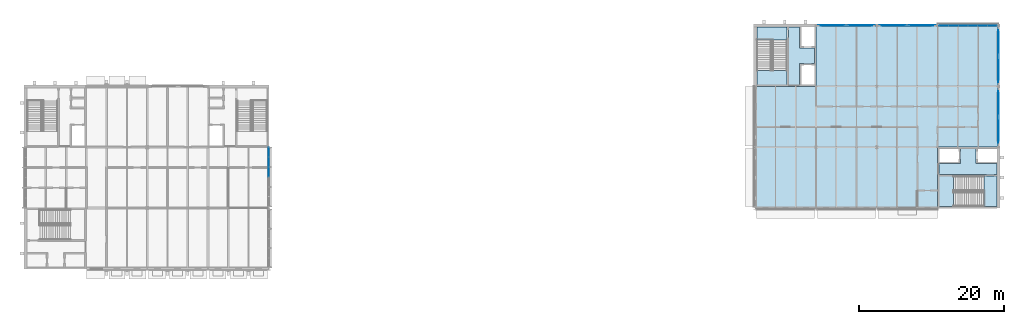
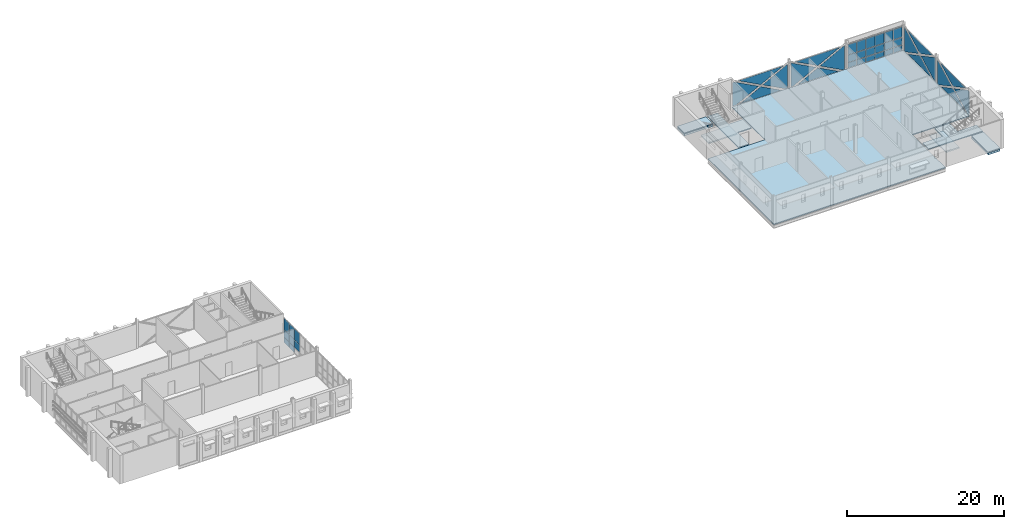
# One storey, part 13 of 22: 42 plates, 9 slabs, 8 elements without a shape of their own.
"""IFC4 building model written with IfcOpenShell, lengths in metres."""

from ifc_helpers import new_model, si_unit, direction, frame, origin, origin_2d, place, context, subcontext, project, spatial, polyline, rectangle, outline, extrude, material, layer, layer_set, type_object, element, aggregate, save


model = new_model("IFC4")

# Units and contexts
model_context = context("Model", 3, precision=1e-05, world=origin(), true_north=direction((0.0, 1.0)))
body_context = subcontext(model_context, "Body", "Model", "MODEL_VIEW")
ifc_project = project(units=[si_unit("LENGTHUNIT", "METRE"), si_unit("AREAUNIT", "SQUARE_METRE"), si_unit("VOLUMEUNIT", "CUBIC_METRE"), si_unit("PLANEANGLEUNIT", "RADIAN"), si_unit("MASSUNIT", "GRAM", prefix="KILO")], contexts=[model_context])

# Site, building, storey
site_placement = place(None, origin())
site = spatial("IfcSite", under=ifc_project, at=site_placement, CompositionType="ELEMENT")
building_placement = place(site_placement, origin())
building = spatial("IfcBuilding", under=site, at=building_placement, Name="Ardhachandra Cancer Care Centre", CompositionType="ELEMENT")
storey_placement = place(building_placement, frame((0.0, 0.0, 18.0)))
storey = spatial("IfcBuildingStorey", under=building, at=storey_placement, Name="L04", CompositionType="ELEMENT", Elevation=18.0)

# Slabs
ifc_material_1 = material(Name="Composite slab Concrete M30 on steel deck", Category="concrete")
ifc_layer_1 = layer(ifc_material_1, 0.14990234375)
ifc_layer_set_1 = layer_set([ifc_layer_1], Name="Composite slab Concrete M30 on steel deck")
slab_type_1 = type_object("IfcSlabType", Name="Composite floor slab 150", PredefinedType="FLOOR", material=ifc_layer_set_1)
slab_1_placement = place(storey_placement, frame((0.0, 0.0, -0.14990234375)))
element("IfcSlab", 1, at=slab_1_placement, inside=storey, type_object=slab_type_1, Name="Floor slab V5", PredefinedType="FLOOR", context=body_context, shape_type="SweptSolid", body=[
    extrude(outline(polyline([(120.0, 105.0), (120.0, 96.60009765625), (111.60009765625, 96.60009765625), (111.60009765625, 79.800048828125), (136.800048828125, 79.800048828125), (136.800048828125, 88.199951171875), (145.199951171875, 88.199951171875), (145.199951171875, 105.0), (120.0, 105.0)])), origin(), (0.0, 0.0, 1.0), 0.14990234375),
])
ifc_material_2 = material(Name="Concrete M40", Category="concrete")
ifc_layer_2 = layer(ifc_material_2, 0.14990234375)
ifc_layer_set_2 = layer_set([ifc_layer_2], Name="Concrete M40")
slab_type_2 = type_object("IfcSlabType", Name="Core floor slab 150", PredefinedType="FLOOR", material=ifc_layer_set_2)
slab_2_placement = place(storey_placement, frame((0.0, 0.0, -0.14990234375)))
element("IfcSlab", 2, at=slab_2_placement, inside=storey, type_object=slab_type_2, Name="Core floor slab K12 L04 1", PredefinedType="FLOOR", context=body_context, shape_type="SweptSolid", body=[
    extrude(outline(polyline([(111.824951171875, 104.77490234375), (116.02490234375, 104.77490234375), (116.02490234375, 103.0), (111.824951171875, 103.0), (111.824951171875, 104.77490234375)])), origin(), (0.0, 0.0, 1.0), 0.14990234375),
])
slab_3_placement = place(storey_placement, frame((0.0, 0.0, -0.14990234375)))
element("IfcSlab", 3, at=slab_3_placement, inside=storey, type_object=slab_type_2, Name="Core floor slab K12 L04 2", PredefinedType="FLOOR", context=body_context, shape_type="SweptSolid", body=[
    extrude(outline(polyline([(119.800048828125, 99.75), (117.949951171875, 99.75), (117.75, 99.75), (117.75, 96.800048828125), (116.22509765625, 96.800048828125), (116.22509765625, 104.77490234375), (117.75, 104.77490234375), (117.75, 101.925048828125), (117.949951171875, 101.925048828125), (119.800048828125, 101.925048828125), (119.800048828125, 99.75)])), origin(), (0.0, 0.0, 1.0), 0.14990234375),
])
slab_4_placement = place(storey_placement, frame((0.0, 0.0, -0.14990234375)))
element("IfcSlab", 4, at=slab_4_placement, inside=storey, type_object=slab_type_2, Name="Core floor slab K13 L04 1", PredefinedType="FLOOR", context=body_context, shape_type="SweptSolid", body=[
    extrude(outline(polyline([(144.97509765625, 80.0), (144.97509765625, 84.199951171875), (143.199951171875, 84.199951171875), (143.199951171875, 80.0), (144.97509765625, 80.0)])), origin(), (0.0, 0.0, 1.0), 0.14990234375),
])
slab_5_placement = place(storey_placement, frame((0.0, 0.0, -0.14990234375)))
element("IfcSlab", 5, at=slab_5_placement, inside=storey, type_object=slab_type_2, Name="Core floor slab K13 L04 2", PredefinedType="FLOOR", context=body_context, shape_type="SweptSolid", body=[
    extrude(outline(polyline([(139.949951171875, 88.0), (139.949951171875, 86.14990234375), (139.949951171875, 85.949951171875), (137.0, 85.949951171875), (137.0, 84.39990234375), (144.97509765625, 84.39990234375), (144.97509765625, 85.949951171875), (142.125, 85.949951171875), (142.125, 86.14990234375), (142.125, 88.0), (139.949951171875, 88.0)])), origin(), (0.0, 0.0, 1.0), 0.14990234375),
])
ifc_material_3 = material(Name="Concrete M40", Category="concrete")
ifc_layer_3 = layer(ifc_material_3, 0.300048828125)
ifc_layer_set_3 = layer_set([ifc_layer_3], Name="Concrete M40")
slab_type_3 = type_object("IfcSlabType", Name="Core stair edge slab 300", PredefinedType="FLOOR", material=ifc_layer_set_3)
slab_6_placement = place(storey_placement, frame((0.0, 0.0, -0.449951171875)))
element("IfcSlab", 6, at=slab_6_placement, inside=storey, type_object=slab_type_3, Name="Core stair edge slab K12 L04", PredefinedType="FLOOR", context=body_context, shape_type="SweptSolid", body=[
    extrude(outline(polyline([(111.824951171875, 103.0), (116.02490234375, 103.0), (116.02490234375, 104.77490234375), (111.824951171875, 104.77490234375), (111.824951171875, 103.0)])), origin(), (0.0, 0.0, 1.0), 0.300048828125),
])
slab_7_placement = place(storey_placement, frame((0.0, 0.0, -0.449951171875)))
element("IfcSlab", 7, at=slab_7_placement, inside=storey, type_object=slab_type_3, Name="Core stair edge slab K13 L04", PredefinedType="FLOOR", context=body_context, shape_type="SweptSolid", body=[
    extrude(outline(polyline([(143.199951171875, 80.0), (143.199951171875, 84.199951171875), (144.97509765625, 84.199951171875), (144.97509765625, 80.0), (143.199951171875, 80.0)])), origin(), (0.0, 0.0, 1.0), 0.300048828125),
])

# Curtain wall, plates
ifc_material_4 = material(Name="Aluminium extrusion", Category="aluminium")
ifc_layer_4 = layer(ifc_material_4, 0.14990234375)
ifc_layer_set_4 = layer_set([ifc_layer_4], Name="Aluminium extrusion")
curtain_wall_type = type_object("IfcCurtainWallType", Name="Curtain wall run", PredefinedType="NOTDEFINED", material=ifc_layer_set_4)
curtain_wall_1_placement = place(storey_placement, origin())
curtain_wall_1 = element("IfcCurtainWall", 8, at=curtain_wall_1_placement, inside=storey, type_object=curtain_wall_type, Name="Curtain wall L04 e/0044400_0079800", PredefinedType="NOTDEFINED")
ifc_material_5 = material(Name="Low-iron double-glazed unit")
ifc_layer_5 = layer(ifc_material_5, 0.028076171875)
ifc_layer_set_5 = layer_set([ifc_layer_5], Name="Low-iron double-glazed unit")
plate_type_1 = type_object("IfcPlateType", Name="Curtain wall glazing 28", PredefinedType="CURTAIN_PANEL", material=ifc_layer_set_5)
plate_1_placement = place(storey_placement, frame((44.39990234375, 86.14599609375, 0.93017578125), z_axis=(0.0, 0.0, 1.0), x_axis=(0.0, 1.0, 0.0)))
plate_1 = element("IfcPlate", 9, at=plate_1_placement, type_object=plate_type_1, Name="CW panel 5.2", PredefinedType="CURTAIN_PANEL", context=body_context, shape_type="SweptSolid", body=[
    extrude(rectangle(XDim=1.309326171875, YDim=0.028076171875, at=origin_2d()), origin(), (0.0, 0.0, 1.0), 1.139892578125),
])
plate_2_placement = place(storey_placement, frame((44.39990234375, 86.14599609375, 2.1298828125), z_axis=(0.0, 0.0, 1.0), x_axis=(0.0, 1.0, 0.0)))
plate_2 = element("IfcPlate", 10, at=plate_2_placement, type_object=plate_type_1, Name="CW panel 5.3", PredefinedType="CURTAIN_PANEL", context=body_context, shape_type="SweptSolid", body=[
    extrude(rectangle(XDim=1.309326171875, YDim=0.028076171875, at=origin_2d()), origin(), (0.0, 0.0, 1.0), 1.696044921875),
])
plate_3_placement = place(storey_placement, frame((44.39990234375, 87.500244140625, 0.93017578125), z_axis=(0.0, 0.0, 1.0), x_axis=(0.0, 1.0, 0.0)))
plate_3 = element("IfcPlate", 11, at=plate_3_placement, type_object=plate_type_1, Name="CW panel 6.2", PredefinedType="CURTAIN_PANEL", context=body_context, shape_type="SweptSolid", body=[
    extrude(rectangle(XDim=1.279296875, YDim=0.028076171875, at=origin_2d()), origin(), (0.0, 0.0, 1.0), 1.139892578125),
])
plate_4_placement = place(storey_placement, frame((44.39990234375, 87.500244140625, 2.1298828125), z_axis=(0.0, 0.0, 1.0), x_axis=(0.0, 1.0, 0.0)))
plate_4 = element("IfcPlate", 12, at=plate_4_placement, type_object=plate_type_1, Name="CW panel 6.3", PredefinedType="CURTAIN_PANEL", context=body_context, shape_type="SweptSolid", body=[
    extrude(rectangle(XDim=1.279296875, YDim=0.028076171875, at=origin_2d()), origin(), (0.0, 0.0, 1.0), 1.696044921875),
])

curtain_wall_2_placement = place(storey_placement, origin())
curtain_wall_2 = element("IfcCurtainWall", 13, at=curtain_wall_2_placement, inside=storey, type_object=curtain_wall_type, Name="Curtain wall L04 e/0145200_0088200", PredefinedType="NOTDEFINED")
plate_5_placement = place(storey_placement, frame((145.199951171875, 96.35791015625, 3.739990234375), z_axis=(-1.0, 0.0, 0.0), x_axis=(0.0, 0.0, -1.0)))
plate_5 = element("IfcPlate", 14, at=plate_5_placement, type_object=plate_type_1, Name="CW panel 1.1", PredefinedType="CURTAIN_PANEL", context=body_context, shape_type="SweptSolid", body=[
    extrude(outline(polyline([(0.0, 0.0), (3.679931640625, 0.0), (3.679931640625, 0.328857421875), (1.902587890625, 3.66552734375), (0.0, 0.09423828125), (0.0, 0.0)])), origin(), (0.0, 0.0, 1.0), 0.028076171875),
])
plate_6_placement = place(storey_placement, frame((145.199951171875, 95.6787109375, 3.739990234375), z_axis=(-1.0, 0.0, 0.0), x_axis=(0.0, -0.882589322681, -0.470144751635)))
plate_6 = element("IfcPlate", 15, at=plate_6_placement, type_object=plate_type_1, Name="CW panel 1.1", PredefinedType="CURTAIN_PANEL", context=body_context, shape_type="SweptSolid", body=[
    extrude(outline(polyline([(0.0, 0.0), (3.715087890625, 0.0), (5.787353515625, 3.0830078125), (0.0, 0.0)])), frame((0.0, 0.0, -0.028076171875)), (0.0, 0.0, 1.0), 0.028076171875),
])
plate_7_placement = place(storey_placement, frame((145.199951171875, 88.260009765625, 0.06005859375), z_axis=(-1.0, 0.0, 0.0), x_axis=(0.0, 0.0, 1.0)))
plate_7 = element("IfcPlate", 16, at=plate_7_placement, type_object=plate_type_1, Name="CW panel 1.1", PredefinedType="CURTAIN_PANEL", context=body_context, shape_type="SweptSolid", body=[
    extrude(outline(polyline([(0.0, 0.0), (3.679931640625, 0.0), (3.679931640625, 0.2763671875), (1.77734375, 3.84765625), (0.0, 0.510986328125), (0.0, 0.0)])), origin(), (0.0, 0.0, 1.0), 0.028076171875),
])
plate_8_placement = place(storey_placement, frame((145.199951171875, 89.35595703125, 0.06005859375), z_axis=(-1.0, 0.0, 0.0), x_axis=(0.0, 0.882576225952, 0.470169336924)))
plate_8 = element("IfcPlate", 17, at=plate_8_placement, type_object=plate_type_1, Name="CW panel 1.1", PredefinedType="CURTAIN_PANEL", context=body_context, shape_type="SweptSolid", body=[
    extrude(outline(polyline([(0.0, 0.0), (3.448974609375, 0.0), (5.373291015625, 2.862548828125), (0.0, 0.0)])), frame((0.0, 0.0, -0.028076171875)), (0.0, 0.0, 1.0), 0.028076171875),
])
aggregate(curtain_wall_2, [plate_5, plate_6, plate_7, plate_8])

curtain_wall_3_placement = place(storey_placement, origin())
curtain_wall_3 = element("IfcCurtainWall", 18, at=curtain_wall_3_placement, inside=storey, type_object=curtain_wall_type, Name="Curtain wall L04 e/0145200_0096600", PredefinedType="NOTDEFINED")
plate_9_placement = place(storey_placement, frame((145.199951171875, 104.758056640625, 3.739990234375), z_axis=(-1.0, 0.0, 0.0), x_axis=(0.0, 0.0, -1.0)))
plate_9 = element("IfcPlate", 19, at=plate_9_placement, type_object=plate_type_1, Name="CW panel 1.1", PredefinedType="CURTAIN_PANEL", context=body_context, shape_type="SweptSolid", body=[
    extrude(outline(polyline([(0.0, 0.0), (3.679931640625, 0.0), (3.679931640625, 0.3291015625), (1.902587890625, 3.66552734375), (0.0, 0.094482421875), (0.0, 0.0)])), origin(), (0.0, 0.0, 1.0), 0.028076171875),
])
plate_10_placement = place(storey_placement, frame((145.199951171875, 104.07861328125, 3.739990234375), z_axis=(-1.0, 0.0, 0.0), x_axis=(0.0, -0.882574795424, -0.470172022225)))
plate_10 = element("IfcPlate", 20, at=plate_10_placement, type_object=plate_type_1, Name="CW panel 1.1", PredefinedType="CURTAIN_PANEL", context=body_context, shape_type="SweptSolid", body=[
    extrude(outline(polyline([(0.0, 0.0), (3.71484375, 0.0), (5.787353515625, 3.0830078125), (0.0, 0.0)])), frame((0.0, 0.0, -0.028076171875)), (0.0, 0.0, 1.0), 0.028076171875),
])
plate_11_placement = place(storey_placement, frame((145.199951171875, 96.842041015625, 0.06005859375), z_axis=(-1.0, 0.0, 0.0), x_axis=(0.0, 0.0, 1.0)))
plate_11 = element("IfcPlate", 21, at=plate_11_placement, type_object=plate_type_1, Name="CW panel 1.1", PredefinedType="CURTAIN_PANEL", context=body_context, shape_type="SweptSolid", body=[
    extrude(outline(polyline([(0.0, 0.0), (3.679931640625, 0.0), (3.679931640625, 0.09423828125), (1.77734375, 3.66552734375), (0.0, 0.3291015625), (0.0, 0.0)])), origin(), (0.0, 0.0, 1.0), 0.028076171875),
])
plate_12_placement = place(storey_placement, frame((145.199951171875, 97.755859375, 0.06005859375), z_axis=(-1.0, 0.0, 0.0), x_axis=(0.0, 0.882591872673, 0.470139964576)))
plate_12 = element("IfcPlate", 22, at=plate_12_placement, type_object=plate_type_1, Name="CW panel 1.1", PredefinedType="CURTAIN_PANEL", context=body_context, shape_type="SweptSolid", body=[
    extrude(outline(polyline([(0.0, 0.0), (3.44921875, 0.0), (5.373291015625, 2.8623046875), (0.0, 0.0)])), frame((0.0, 0.0, -0.028076171875)), (0.0, 0.0, 1.0), 0.028076171875),
])
aggregate(curtain_wall_3, [plate_9, plate_10, plate_11, plate_12])

curtain_wall_4_placement = place(storey_placement, origin())
curtain_wall_4 = element("IfcCurtainWall", 23, at=curtain_wall_4_placement, inside=storey, type_object=curtain_wall_type, Name="Curtain wall L04 n/0120000_0105000", PredefinedType="NOTDEFINED")
plate_13_placement = place(storey_placement, frame((128.154541015625, 105.0, 3.739990234375), z_axis=(0.0, 1.0, 0.0), x_axis=(0.0, 0.0, -1.0)))
plate_13 = element("IfcPlate", 24, at=plate_13_placement, type_object=plate_type_1, Name="CW panel 1.1", PredefinedType="CURTAIN_PANEL", context=body_context, shape_type="SweptSolid", body=[
    extrude(outline(polyline([(0.0, 0.0), (3.679931640625, 0.0), (3.679931640625, 0.32568359375), (1.902587890625, 3.662109375), (0.0, 0.0908203125), (0.0, 0.0)])), origin(), (0.0, 0.0, 1.0), 0.028076171875),
])
plate_14_placement = place(storey_placement, frame((127.478759765625, 105.0, 3.739990234375), z_axis=(0.0, 1.0, 0.0), x_axis=(-0.882589322681, 0.0, -0.470144751635)))
plate_14 = element("IfcPlate", 25, at=plate_14_placement, type_object=plate_type_1, Name="CW panel 1.1", PredefinedType="CURTAIN_PANEL", context=body_context, shape_type="SweptSolid", body=[
    extrude(outline(polyline([(0.0, 0.0), (3.715087890625, 0.0), (5.787353515625, 3.0830078125), (0.0, 0.0)])), frame((0.0, 0.0, -0.028076171875)), (0.0, 0.0, 1.0), 0.028076171875),
])
plate_15_placement = place(storey_placement, frame((120.06005859375, 105.0, 0.06005859375), z_axis=(0.0, 1.0, 0.0), x_axis=(0.0, 0.0, 1.0)))
plate_15 = element("IfcPlate", 26, at=plate_15_placement, type_object=plate_type_1, Name="CW panel 1.1", PredefinedType="CURTAIN_PANEL", context=body_context, shape_type="SweptSolid", body=[
    extrude(outline(polyline([(0.0, 0.0), (3.679931640625, 0.0), (3.679931640625, 0.2763671875), (1.77734375, 3.847412109375), (0.0, 0.510986328125), (0.0, 0.0)])), origin(), (0.0, 0.0, 1.0), 0.028076171875),
])
plate_16_placement = place(storey_placement, frame((121.156005859375, 105.0, 0.06005859375), z_axis=(0.0, 1.0, 0.0), x_axis=(0.882576225952, 0.0, 0.470169336924)))
plate_16 = element("IfcPlate", 27, at=plate_16_placement, type_object=plate_type_1, Name="CW panel 1.1", PredefinedType="CURTAIN_PANEL", context=body_context, shape_type="SweptSolid", body=[
    extrude(outline(polyline([(0.0, 0.0), (3.448974609375, 0.0), (5.373291015625, 2.862548828125), (0.0, 0.0)])), frame((0.0, 0.0, -0.028076171875)), (0.0, 0.0, 1.0), 0.028076171875),
])
aggregate(curtain_wall_4, [plate_13, plate_14, plate_15, plate_16])

curtain_wall_5_placement = place(storey_placement, origin())
curtain_wall_5 = element("IfcCurtainWall", 28, at=curtain_wall_5_placement, inside=storey, type_object=curtain_wall_type, Name="Curtain wall L04 n/0128400_0105000", PredefinedType="NOTDEFINED")
plate_17_placement = place(storey_placement, frame((136.554443359375, 105.0, 3.739990234375), z_axis=(0.0, 1.0, 0.0), x_axis=(0.0, 0.0, -1.0)))
plate_17 = element("IfcPlate", 29, at=plate_17_placement, type_object=plate_type_1, Name="CW panel 1.1", PredefinedType="CURTAIN_PANEL", context=body_context, shape_type="SweptSolid", body=[
    extrude(outline(polyline([(0.0, 0.0), (3.679931640625, 0.0), (3.679931640625, 0.325439453125), (1.902587890625, 3.662109375), (0.0, 0.0908203125), (0.0, 0.0)])), origin(), (0.0, 0.0, 1.0), 0.028076171875),
])
plate_18_placement = place(storey_placement, frame((135.878662109375, 105.0, 3.739990234375), z_axis=(0.0, 1.0, 0.0), x_axis=(-0.882574795424, 0.0, -0.470172022225)))
plate_18 = element("IfcPlate", 30, at=plate_18_placement, type_object=plate_type_1, Name="CW panel 1.1", PredefinedType="CURTAIN_PANEL", context=body_context, shape_type="SweptSolid", body=[
    extrude(outline(polyline([(0.0, 0.0), (3.71484375, 0.0), (5.787353515625, 3.0830078125), (0.0, 0.0)])), frame((0.0, 0.0, -0.028076171875)), (0.0, 0.0, 1.0), 0.028076171875),
])
plate_19_placement = place(storey_placement, frame((128.6455078125, 105.0, 0.06005859375), z_axis=(0.0, 1.0, 0.0), x_axis=(0.0, 0.0, 1.0)))
plate_19 = element("IfcPlate", 31, at=plate_19_placement, type_object=plate_type_1, Name="CW panel 1.1", PredefinedType="CURTAIN_PANEL", context=body_context, shape_type="SweptSolid", body=[
    extrude(outline(polyline([(0.0, 0.0), (3.679931640625, 0.0), (3.679931640625, 0.0908203125), (1.77734375, 3.662109375), (0.0, 0.325439453125), (0.0, 0.0)])), origin(), (0.0, 0.0, 1.0), 0.028076171875),
])
plate_20_placement = place(storey_placement, frame((129.555908203125, 105.0, 0.06005859375), z_axis=(0.0, 1.0, 0.0), x_axis=(0.882591872673, 0.0, 0.470139964576)))
plate_20 = element("IfcPlate", 32, at=plate_20_placement, type_object=plate_type_1, Name="CW panel 1.1", PredefinedType="CURTAIN_PANEL", context=body_context, shape_type="SweptSolid", body=[
    extrude(outline(polyline([(0.0, 0.0), (3.44921875, 0.0), (5.373291015625, 2.8623046875), (0.0, 0.0)])), frame((0.0, 0.0, -0.028076171875)), (0.0, 0.0, 1.0), 0.028076171875),
])
aggregate(curtain_wall_5, [plate_17, plate_18, plate_19, plate_20])

curtain_wall_6_placement = place(storey_placement, origin())
curtain_wall_6 = element("IfcCurtainWall", 33, at=curtain_wall_6_placement, inside=storey, type_object=curtain_wall_type, Name="Curtain wall L04 n/0136800_0105000", PredefinedType="NOTDEFINED")
plate_21_placement = place(storey_placement, frame((137.669677734375, 105.0, 0.93017578125), z_axis=(0.0, 0.0, 1.0), x_axis=(1.0, 0.0, 0.0)))
plate_21 = element("IfcPlate", 34, at=plate_21_placement, type_object=plate_type_1, Name="CW panel 1.2", PredefinedType="CURTAIN_PANEL", context=body_context, shape_type="SweptSolid", body=[
    extrude(rectangle(XDim=1.248046875, YDim=0.028076171875, at=origin_2d()), origin(), (0.0, 0.0, 1.0), 1.139892578125),
])
plate_22_placement = place(storey_placement, frame((137.669677734375, 105.0, 2.1298828125), z_axis=(0.0, 0.0, 1.0), x_axis=(1.0, 0.0, 0.0)))
plate_22 = element("IfcPlate", 35, at=plate_22_placement, type_object=plate_type_1, Name="CW panel 1.3", PredefinedType="CURTAIN_PANEL", context=body_context, shape_type="SweptSolid", body=[
    extrude(rectangle(XDim=1.248046875, YDim=0.028076171875, at=origin_2d()), origin(), (0.0, 0.0, 1.0), 1.610107421875),
])
plate_23_placement = place(storey_placement, frame((138.99267578125, 105.0, 0.93017578125), z_axis=(0.0, 0.0, 1.0), x_axis=(1.0, 0.0, 0.0)))
plate_23 = element("IfcPlate", 36, at=plate_23_placement, type_object=plate_type_1, Name="CW panel 2.2", PredefinedType="CURTAIN_PANEL", context=body_context, shape_type="SweptSolid", body=[
    extrude(rectangle(XDim=1.278076171875, YDim=0.028076171875, at=origin_2d()), origin(), (0.0, 0.0, 1.0), 1.139892578125),
])
plate_24_placement = place(storey_placement, frame((138.99267578125, 105.0, 2.1298828125), z_axis=(0.0, 0.0, 1.0), x_axis=(1.0, 0.0, 0.0)))
plate_24 = element("IfcPlate", 37, at=plate_24_placement, type_object=plate_type_1, Name="CW panel 2.3", PredefinedType="CURTAIN_PANEL", context=body_context, shape_type="SweptSolid", body=[
    extrude(rectangle(XDim=1.278076171875, YDim=0.028076171875, at=origin_2d()), origin(), (0.0, 0.0, 1.0), 1.610107421875),
])
plate_25_placement = place(storey_placement, frame((140.330810546875, 105.0, 0.93017578125), z_axis=(0.0, 0.0, 1.0), x_axis=(1.0, 0.0, 0.0)))
plate_25 = element("IfcPlate", 38, at=plate_25_placement, type_object=plate_type_1, Name="CW panel 3.2", PredefinedType="CURTAIN_PANEL", context=body_context, shape_type="SweptSolid", body=[
    extrude(rectangle(XDim=1.278076171875, YDim=0.028076171875, at=origin_2d()), origin(), (0.0, 0.0, 1.0), 1.139892578125),
])
plate_26_placement = place(storey_placement, frame((140.330810546875, 105.0, 2.1298828125), z_axis=(0.0, 0.0, 1.0), x_axis=(1.0, 0.0, 0.0)))
plate_26 = element("IfcPlate", 39, at=plate_26_placement, type_object=plate_type_1, Name="CW panel 3.3", PredefinedType="CURTAIN_PANEL", context=body_context, shape_type="SweptSolid", body=[
    extrude(rectangle(XDim=1.278076171875, YDim=0.028076171875, at=origin_2d()), origin(), (0.0, 0.0, 1.0), 1.610107421875),
])
plate_27_placement = place(storey_placement, frame((141.669189453125, 105.0, 0.93017578125), z_axis=(0.0, 0.0, 1.0), x_axis=(1.0, 0.0, 0.0)))
plate_27 = element("IfcPlate", 40, at=plate_27_placement, type_object=plate_type_1, Name="CW panel 4.2", PredefinedType="CURTAIN_PANEL", context=body_context, shape_type="SweptSolid", body=[
    extrude(rectangle(XDim=1.278076171875, YDim=0.028076171875, at=origin_2d()), origin(), (0.0, 0.0, 1.0), 1.139892578125),
])
plate_28_placement = place(storey_placement, frame((141.669189453125, 105.0, 2.1298828125), z_axis=(0.0, 0.0, 1.0), x_axis=(1.0, 0.0, 0.0)))
plate_28 = element("IfcPlate", 41, at=plate_28_placement, type_object=plate_type_1, Name="CW panel 4.3", PredefinedType="CURTAIN_PANEL", context=body_context, shape_type="SweptSolid", body=[
    extrude(rectangle(XDim=1.278076171875, YDim=0.028076171875, at=origin_2d()), origin(), (0.0, 0.0, 1.0), 1.610107421875),
])
plate_29_placement = place(storey_placement, frame((143.00732421875, 105.0, 0.93017578125), z_axis=(0.0, 0.0, 1.0), x_axis=(1.0, 0.0, 0.0)))
plate_29 = element("IfcPlate", 42, at=plate_29_placement, type_object=plate_type_1, Name="CW panel 5.2", PredefinedType="CURTAIN_PANEL", context=body_context, shape_type="SweptSolid", body=[
    extrude(rectangle(XDim=1.278076171875, YDim=0.028076171875, at=origin_2d()), origin(), (0.0, 0.0, 1.0), 1.139892578125),
])
plate_30_placement = place(storey_placement, frame((143.00732421875, 105.0, 2.1298828125), z_axis=(0.0, 0.0, 1.0), x_axis=(1.0, 0.0, 0.0)))
plate_30 = element("IfcPlate", 43, at=plate_30_placement, type_object=plate_type_1, Name="CW panel 5.3", PredefinedType="CURTAIN_PANEL", context=body_context, shape_type="SweptSolid", body=[
    extrude(rectangle(XDim=1.278076171875, YDim=0.028076171875, at=origin_2d()), origin(), (0.0, 0.0, 1.0), 1.610107421875),
])
plate_31_placement = place(storey_placement, frame((144.330322265625, 105.0, 0.93017578125), z_axis=(0.0, 0.0, 1.0), x_axis=(1.0, 0.0, 0.0)))
plate_31 = element("IfcPlate", 44, at=plate_31_placement, type_object=plate_type_1, Name="CW panel 6.2", PredefinedType="CURTAIN_PANEL", context=body_context, shape_type="SweptSolid", body=[
    extrude(rectangle(XDim=1.248046875, YDim=0.028076171875, at=origin_2d()), origin(), (0.0, 0.0, 1.0), 1.139892578125),
])
plate_32_placement = place(storey_placement, frame((144.330322265625, 105.0, 2.1298828125), z_axis=(0.0, 0.0, 1.0), x_axis=(1.0, 0.0, 0.0)))
plate_32 = element("IfcPlate", 45, at=plate_32_placement, type_object=plate_type_1, Name="CW panel 6.3", PredefinedType="CURTAIN_PANEL", context=body_context, shape_type="SweptSolid", body=[
    extrude(rectangle(XDim=1.248046875, YDim=0.028076171875, at=origin_2d()), origin(), (0.0, 0.0, 1.0), 1.610107421875),
])

# Plate
ifc_material_6 = material(Name="Aluminium composite spandrel panel", Category="aluminium")
ifc_layer_6 = layer(ifc_material_6, 0.028076171875)
ifc_layer_set_6 = layer_set([ifc_layer_6], Name="Aluminium composite spandrel panel")
plate_type_2 = type_object("IfcPlateType", Name="Curtain wall spandrel panel 28", PredefinedType="CURTAIN_PANEL", material=ifc_layer_set_6)
plate_33_placement = place(storey_placement, frame((44.39990234375, 84.776611328125, 0.93017578125), z_axis=(0.0, 0.0, 1.0), x_axis=(0.0, 1.0, 0.0)))
plate_33 = element("IfcPlate", 46, at=plate_33_placement, type_object=plate_type_2, Name="CW panel 4.2", PredefinedType="CURTAIN_PANEL", context=body_context, shape_type="SweptSolid", body=[
    extrude(rectangle(XDim=1.309326171875, YDim=0.028076171875, at=origin_2d()), origin(), (0.0, 0.0, 1.0), 1.139892578125),
])

plate_34_placement = place(storey_placement, frame((44.39990234375, 84.776611328125, 2.1298828125), z_axis=(0.0, 0.0, 1.0), x_axis=(0.0, 1.0, 0.0)))
plate_34 = element("IfcPlate", 47, at=plate_34_placement, type_object=plate_type_2, Name="CW panel 4.3", PredefinedType="CURTAIN_PANEL", context=body_context, shape_type="SweptSolid", body=[
    extrude(rectangle(XDim=1.309326171875, YDim=0.028076171875, at=origin_2d()), origin(), (0.0, 0.0, 1.0), 1.696044921875),
])

plate_35_placement = place(storey_placement, frame((44.39990234375, 86.14599609375, 0.06005859375), z_axis=(0.0, 0.0, 1.0), x_axis=(0.0, 1.0, 0.0)))
plate_35 = element("IfcPlate", 48, at=plate_35_placement, type_object=plate_type_2, Name="CW panel 5.1", PredefinedType="CURTAIN_PANEL", context=body_context, shape_type="SweptSolid", body=[
    extrude(rectangle(XDim=1.309326171875, YDim=0.028076171875, at=origin_2d()), origin(), (0.0, 0.0, 1.0), 0.81005859375),
])

plate_36_placement = place(storey_placement, frame((44.39990234375, 87.500244140625, 0.06005859375), z_axis=(0.0, 0.0, 1.0), x_axis=(0.0, 1.0, 0.0)))
plate_36 = element("IfcPlate", 49, at=plate_36_placement, type_object=plate_type_2, Name="CW panel 6.1", PredefinedType="CURTAIN_PANEL", context=body_context, shape_type="SweptSolid", body=[
    extrude(rectangle(XDim=1.279296875, YDim=0.028076171875, at=origin_2d()), origin(), (0.0, 0.0, 1.0), 0.81005859375),
])

aggregate(curtain_wall_1, [plate_33, plate_34, plate_35, plate_1, plate_2, plate_36, plate_3, plate_4])

plate_37_placement = place(storey_placement, frame((137.669677734375, 105.0, 0.06005859375), z_axis=(0.0, 0.0, 1.0), x_axis=(1.0, 0.0, 0.0)))
plate_37 = element("IfcPlate", 50, at=plate_37_placement, type_object=plate_type_2, Name="CW panel 1.1", PredefinedType="CURTAIN_PANEL", context=body_context, shape_type="SweptSolid", body=[
    extrude(rectangle(XDim=1.248046875, YDim=0.028076171875, at=origin_2d()), origin(), (0.0, 0.0, 1.0), 0.81005859375),
])

plate_38_placement = place(storey_placement, frame((138.99267578125, 105.0, 0.06005859375), z_axis=(0.0, 0.0, 1.0), x_axis=(1.0, 0.0, 0.0)))
plate_38 = element("IfcPlate", 51, at=plate_38_placement, type_object=plate_type_2, Name="CW panel 2.1", PredefinedType="CURTAIN_PANEL", context=body_context, shape_type="SweptSolid", body=[
    extrude(rectangle(XDim=1.278076171875, YDim=0.028076171875, at=origin_2d()), origin(), (0.0, 0.0, 1.0), 0.81005859375),
])

plate_39_placement = place(storey_placement, frame((140.330810546875, 105.0, 0.06005859375), z_axis=(0.0, 0.0, 1.0), x_axis=(1.0, 0.0, 0.0)))
plate_39 = element("IfcPlate", 52, at=plate_39_placement, type_object=plate_type_2, Name="CW panel 3.1", PredefinedType="CURTAIN_PANEL", context=body_context, shape_type="SweptSolid", body=[
    extrude(rectangle(XDim=1.278076171875, YDim=0.028076171875, at=origin_2d()), origin(), (0.0, 0.0, 1.0), 0.81005859375),
])

plate_40_placement = place(storey_placement, frame((141.669189453125, 105.0, 0.06005859375), z_axis=(0.0, 0.0, 1.0), x_axis=(1.0, 0.0, 0.0)))
plate_40 = element("IfcPlate", 53, at=plate_40_placement, type_object=plate_type_2, Name="CW panel 4.1", PredefinedType="CURTAIN_PANEL", context=body_context, shape_type="SweptSolid", body=[
    extrude(rectangle(XDim=1.278076171875, YDim=0.028076171875, at=origin_2d()), origin(), (0.0, 0.0, 1.0), 0.81005859375),
])

plate_41_placement = place(storey_placement, frame((143.00732421875, 105.0, 0.06005859375), z_axis=(0.0, 0.0, 1.0), x_axis=(1.0, 0.0, 0.0)))
plate_41 = element("IfcPlate", 54, at=plate_41_placement, type_object=plate_type_2, Name="CW panel 5.1", PredefinedType="CURTAIN_PANEL", context=body_context, shape_type="SweptSolid", body=[
    extrude(rectangle(XDim=1.278076171875, YDim=0.028076171875, at=origin_2d()), origin(), (0.0, 0.0, 1.0), 0.81005859375),
])

plate_42_placement = place(storey_placement, frame((144.330322265625, 105.0, 0.06005859375), z_axis=(0.0, 0.0, 1.0), x_axis=(1.0, 0.0, 0.0)))
plate_42 = element("IfcPlate", 55, at=plate_42_placement, type_object=plate_type_2, Name="CW panel 6.1", PredefinedType="CURTAIN_PANEL", context=body_context, shape_type="SweptSolid", body=[
    extrude(rectangle(XDim=1.248046875, YDim=0.028076171875, at=origin_2d()), origin(), (0.0, 0.0, 1.0), 0.81005859375),
])

aggregate(curtain_wall_6, [plate_37, plate_21, plate_22, plate_38, plate_23, plate_24, plate_39, plate_25, plate_26, plate_40, plate_27, plate_28, plate_41, plate_29, plate_30, plate_42, plate_31, plate_32])

# Stair, slab
ifc_material_7 = material(Name="Concrete M40", Category="concrete")
stair_type = type_object("IfcStairType", Name="Dog-leg stair 2000", PredefinedType="HALF_TURN_STAIR", material=ifc_material_7)
stair_1_placement = place(storey_placement, origin())
stair_1 = element("IfcStair", 56, at=stair_1_placement, inside=storey, type_object=stair_type, Name="Stair K12 L04-L05", PredefinedType="HALF_TURN_STAIR")
ifc_material_8 = material(Name="Concrete M40", Category="concrete")
ifc_layer_7 = layer(ifc_material_8, 0.199951171875)
ifc_layer_set_7 = layer_set([ifc_layer_7], Name="Concrete M40")
slab_type_4 = type_object("IfcSlabType", Name="Stair landing 200", PredefinedType="LANDING", material=ifc_layer_set_7)
slab_8_placement = place(storey_placement, frame((0.0, 0.0, 2.050048828125)))
slab_8 = element("IfcSlab", 57, at=slab_8_placement, type_object=slab_type_4, Name="stair K12 L04-L05 landing 1", PredefinedType="LANDING", context=body_context, shape_type="SweptSolid", body=[
    extrude(outline(polyline([(111.824951171875, 96.800048828125), (116.02490234375, 96.800048828125), (116.02490234375, 98.800048828125), (111.824951171875, 98.800048828125), (111.824951171875, 96.800048828125)])), origin(), (0.0, 0.0, 1.0), 0.199951171875),
])
aggregate(stair_1, [slab_8])

stair_2_placement = place(storey_placement, origin())
stair_2 = element("IfcStair", 58, at=stair_2_placement, inside=storey, type_object=stair_type, Name="Stair K13 L04-L05", PredefinedType="HALF_TURN_STAIR")
slab_9_placement = place(storey_placement, frame((0.0, 0.0, 2.050048828125)))
slab_9 = element("IfcSlab", 59, at=slab_9_placement, type_object=slab_type_4, Name="stair K13 L04-L05 landing 1", PredefinedType="LANDING", context=body_context, shape_type="SweptSolid", body=[
    extrude(outline(polyline([(137.0, 80.0), (139.0, 80.0), (139.0, 84.199951171875), (137.0, 84.199951171875), (137.0, 80.0)])), origin(), (0.0, 0.0, 1.0), 0.199951171875),
])
aggregate(stair_2, [slab_9])

save(model, "model.ifc")
